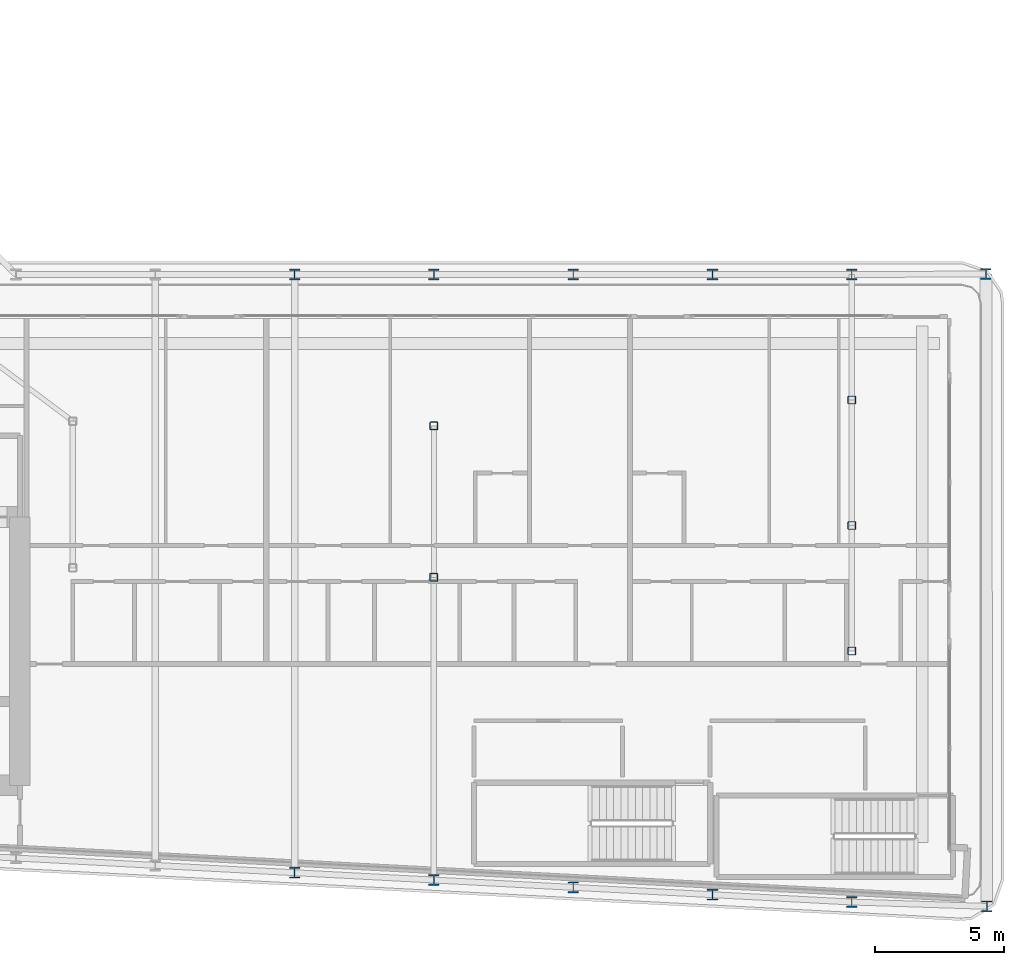
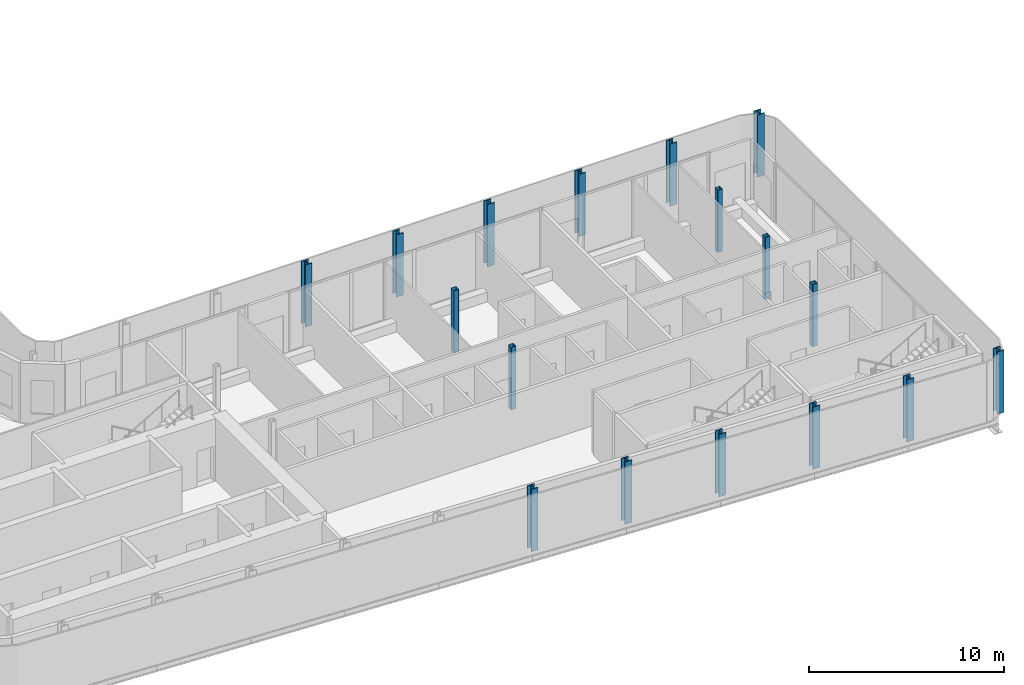
# One storey, part 2 of 26: 17 columns.
"""IFC4 building model written with IfcOpenShell, lengths in metres."""

from ifc_helpers import new_model, si_unit, direction, frame, origin, origin_2d, place, context, subcontext, project, spatial, hollow_rectangle, i_section, extrude, material, material_profile, profile_set, type_object, element, save


model = new_model("IFC4")

# Units and contexts
model_context = context("Model", 3, precision=1e-05, world=origin(), true_north=direction((0.0, 1.0)))
body_context = subcontext(model_context, "Body", "Model", "MODEL_VIEW")
ifc_project = project(units=[si_unit("LENGTHUNIT", "METRE"), si_unit("AREAUNIT", "SQUARE_METRE"), si_unit("VOLUMEUNIT", "CUBIC_METRE"), si_unit("PLANEANGLEUNIT", "RADIAN"), si_unit("MASSUNIT", "GRAM", prefix="KILO")], contexts=[model_context])

# Site, building, storey
site_placement = place(None, origin())
site = spatial("IfcSite", under=ifc_project, at=site_placement, CompositionType="ELEMENT")
building_placement = place(site_placement, origin())
building = spatial("IfcBuilding", under=site, at=building_placement, Name="Kheshtan School and Residences Tower", CompositionType="ELEMENT")
storey_placement = place(building_placement, frame((0.0, 0.0, 156.5)))
storey = spatial("IfcBuildingStorey", under=building, at=storey_placement, Name="L36", CompositionType="ELEMENT", Elevation=156.5)

# Columns
ifc_material_1 = material(Name="Steel ASTM A992 Grade 50", Category="steel")
ifc_material_profile_1 = material_profile(ifc_material_1, i_section(OverallWidth=0.408935546875, OverallDepth=0.425048828125, WebThickness=0.03271484375, FlangeThickness=0.052490234375, FilletRadius=0.0126953125, at=origin_2d()), Name="W360x421")
ifc_profile_set_1 = profile_set([ifc_material_profile_1], Name="Steel ASTM A992 Grade 50")
column_type_1 = type_object("IfcColumnType", Name="Column C3 W360x421 ASTM A992 Grade 50", PredefinedType="COLUMN", material=ifc_profile_set_1)
for number, where, z_axis, x_axis, name in (
    (1, (90.637939453125, 21.10693359375, 0.0), (0.0, 0.0, 1.0), (1.0, 0.0, 0.0), "Column C007"),
    (2, (85.39990234375, 21.27392578125, 0.0), (0.0, 0.0, 1.0), (1.0, 0.0, 0.0), "Column C008"),
    (3, (80.0, 21.55810546875, 0.0), (0.0, 0.0, 1.0), (1.0, 0.0, 0.0), "Column C012"),
    (4, (74.60009765625, 21.843017578125, 0.0), (0.0, 0.0, 1.0), (1.0, 0.0, 0.0), "Column C013"),
    (5, (69.199951171875, 22.126953125, 0.0), (0.0, 0.0, 1.0), (1.0, 0.0, 0.0), "Column C014"),
    (6, (63.800048828125, 22.410888671875, 0.0), (0.0, 0.0, 1.0), (1.0, 0.0, 0.0), "Column C016"),
    (7, (63.800048828125, 45.60009765625, 0.0), (0.0, 0.0, 1.0), (1.0, 0.0, 0.0), "Column C063"),
    (8, (69.199951171875, 45.60009765625, 0.0), (0.0, 0.0, 1.0), (1.0, 0.0, 0.0), "Column C064"),
    (9, (74.60009765625, 45.60009765625, 0.0), (0.0, 0.0, 1.0), (1.0, 0.0, 0.0), "Column C065"),
    (10, (80.0, 45.60009765625, 0.0), (0.0, 0.0, 1.0), (1.0, 0.0, 0.0), "Column C066"),
    (11, (85.39990234375, 45.60009765625, 0.0), (0.0, 0.0, 1.0), (1.0, 0.0, 0.0), "Column C067"),
    (12, (90.60107421875, 45.62109375, 0.0), (0.0, 0.0, 1.0), (1.0, 0.0, 0.0), "Column C075"),
):
    element("IfcColumn", number, at=place(storey_placement, frame(where, z_axis=z_axis, x_axis=x_axis)), inside=storey, type_object=column_type_1, Name=name, PredefinedType="COLUMN", context=body_context, shape_type="SweptSolid", body=[
        extrude(i_section(OverallWidth=0.408935546875, OverallDepth=0.425048828125, WebThickness=0.03271484375, FlangeThickness=0.052490234375, FilletRadius=0.0126953125, at=origin_2d()), origin(), (0.0, 0.0, 1.0), 3.89990234375),
    ])
ifc_material_2 = material(Name="Steel ASTM A500 Grade C", Category="steel")
ifc_material_profile_2 = material_profile(ifc_material_2, hollow_rectangle(XDim=0.304931640625, YDim=0.304931640625, WallThickness=0.015869140625, InnerFilletRadius=0.015869140625, OuterFilletRadius=0.03173828125, at=origin_2d()), Name="HSS 305x305x15.9")
ifc_profile_set_2 = profile_set([ifc_material_profile_2], Name="Steel ASTM A500 Grade C")
column_type_2 = type_object("IfcColumnType", Name="Column IC2 HSS 305x305x15.9 ASTM A500 Grade C", PredefinedType="COLUMN", material=ifc_profile_set_2)
for number, where, z_axis, x_axis, name in (
    (13, (85.39990234375, 31.0048828125, 0.0), (0.0, 0.0, 1.0), (1.0, 0.0, 0.0), "Column C049"),
    (14, (69.199951171875, 33.863037109375, 0.0), (0.0, 0.0, 1.0), (1.0, 0.0, 0.0), "Column C050"),
    (15, (85.39990234375, 35.8701171875, 0.0), (0.0, 0.0, 1.0), (1.0, 0.0, 0.0), "Column C053"),
    (16, (69.199951171875, 39.73193359375, 0.0), (0.0, 0.0, 1.0), (1.0, 0.0, 0.0), "Column C054"),
    (17, (85.39990234375, 40.735107421875, 0.0), (0.0, 0.0, 1.0), (1.0, 0.0, 0.0), "Column C057"),
):
    element("IfcColumn", number, at=place(storey_placement, frame(where, z_axis=z_axis, x_axis=x_axis)), inside=storey, type_object=column_type_2, Name=name, PredefinedType="COLUMN", context=body_context, shape_type="SweptSolid", body=[
        extrude(hollow_rectangle(XDim=0.304931640625, YDim=0.304931640625, WallThickness=0.015869140625, InnerFilletRadius=0.015869140625, OuterFilletRadius=0.03173828125, at=origin_2d()), origin(), (0.0, 0.0, 1.0), 3.89990234375),
    ])

save(model, "model.ifc")
